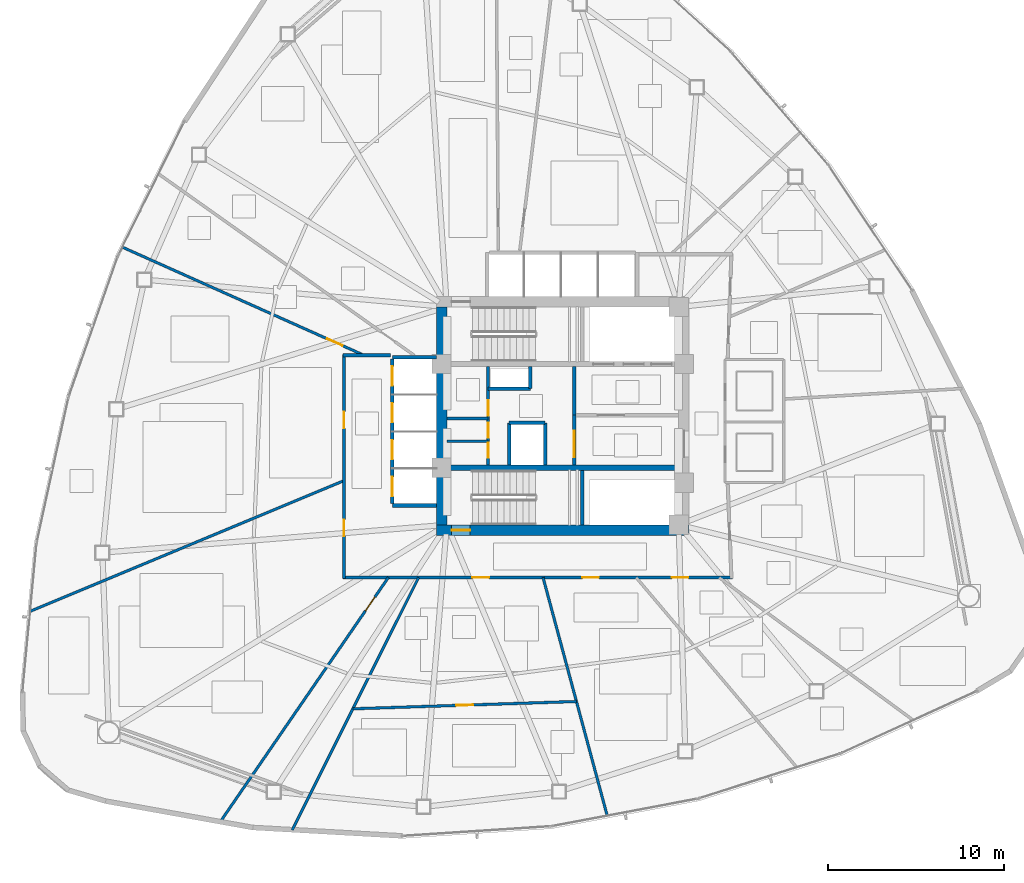
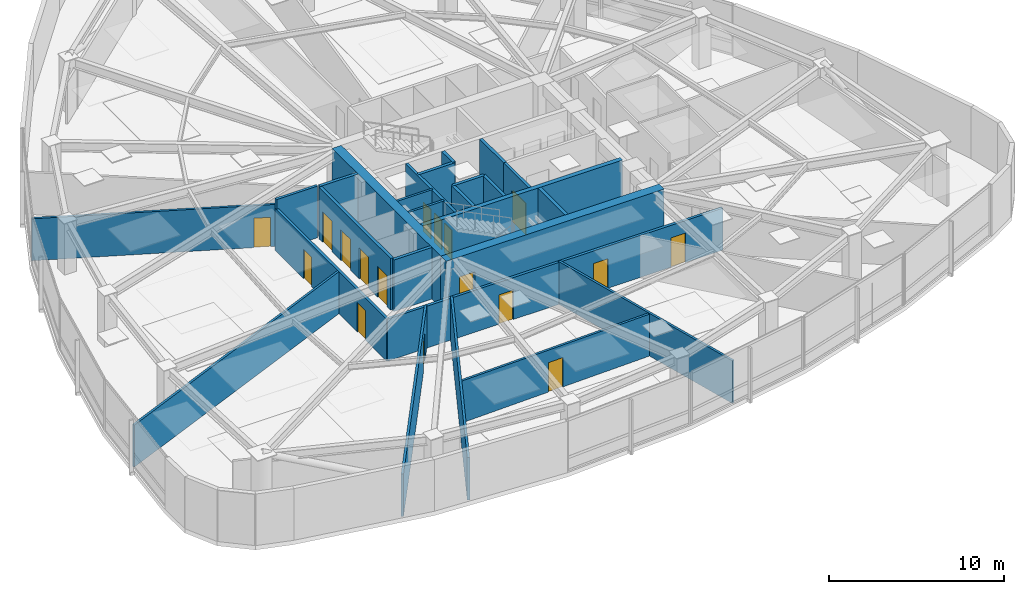
# One storey, part 12 of 18: 26 walls, 17 doors, 17 openings.
"""IFC4 building model written with IfcOpenShell, lengths in metres."""

from ifc_helpers import new_model, si_unit, direction, frame, frame_2d, origin, place, context, subcontext, project, spatial, rectangle, extrude, material, layer, layer_set, type_object, element, fill, save


model = new_model("IFC4")

# Units and contexts
model_context = context("Model", 3, precision=1e-05, world=origin(), true_north=direction((0.0, 1.0)))
body_context = subcontext(model_context, "Body", "Model", "MODEL_VIEW")
ifc_project = project(units=[si_unit("LENGTHUNIT", "METRE"), si_unit("AREAUNIT", "SQUARE_METRE"), si_unit("VOLUMEUNIT", "CUBIC_METRE"), si_unit("PLANEANGLEUNIT", "RADIAN"), si_unit("MASSUNIT", "GRAM", prefix="KILO")], contexts=[model_context])

# Site, building, storey
site_placement = place(None, origin())
site = spatial("IfcSite", under=ifc_project, at=site_placement, CompositionType="ELEMENT")
building_placement = place(site_placement, origin())
building = spatial("IfcBuilding", under=site, at=building_placement, Name="Tavelor Broadcast Tower", CompositionType="ELEMENT")
storey_placement = place(building_placement, frame((0.0, 0.0, 54.89990234375)))
storey = spatial("IfcBuildingStorey", under=building, at=storey_placement, Name="L12", CompositionType="ELEMENT", Elevation=54.89990234375)

# Wall, opening, door
ifc_material_1 = material(Name="Concrete C60/75", Category="concrete")
ifc_layer_1 = layer(ifc_material_1, 0.60009765625)
ifc_layer_set_1 = layer_set([ifc_layer_1], Name="Concrete C60/75")
wall_type_1 = type_object("IfcWallType", Name="Core Shear Wall 600 mm", PredefinedType="SHEAR", material=ifc_layer_set_1)
wall_1_placement = place(storey_placement, frame((42.800048828125, 38.5, 0.0), z_axis=(0.0, 0.0, 1.0), x_axis=(1.0, 0.0, 0.0)))
wall_1 = element("IfcWall", 1, at=wall_1_placement, inside=storey, type_object=wall_type_1, Name="L12 Central Core Shear Wall S", PredefinedType="SHEAR", context=body_context, shape_type="SweptSolid", body=[
    extrude(rectangle(XDim=14.39990234375, YDim=0.60009765625, at=frame_2d((7.199951171875, 0.0))), origin(), (0.0, 0.0, 1.0), 3.60009765625),
])
opening_1_placement = place(wall_1_placement, frame((0.8798828125, 0.0, 0.0)))
opening_1 = element("IfcOpeningElement", 2, at=opening_1_placement, cuts=wall_1, Name="Opening DR11", PredefinedType="OPENING", context=body_context, shape_type="SweptSolid", body=[
    extrude(rectangle(XDim=1.050048828125, YDim=2.199951171875, at=frame_2d((0.52490234375, 1.10009765625))), frame((0.0, 0.31005859375, 0.0), z_axis=(0.0, -1.0, 0.0), x_axis=(1.0, 0.0, 0.0)), (0.0, 0.0, 1.0), 0.6201171875),
])
ifc_material_2 = material(Name="Steel S355", Category="steel")
door_type_1 = type_object("IfcDoorType", Name="Stair Core Fire Escape Door 1050x2200", OperationType="NOTDEFINED", PredefinedType="DOOR", material=ifc_material_2)
door_1_placement = place(opening_1_placement, origin())
door_1 = element("IfcDoor", 3, at=door_1_placement, inside=storey, type_object=door_type_1, Name="L12 Stair ST2 Protected Exit Door", OperationType="SINGLE_SWING_RIGHT", OverallHeight=2.199951171875, OverallWidth=1.050048828125, PredefinedType="DOOR", context=body_context, shape_type="SweptSolid", body=[
    extrude(rectangle(XDim=1.050048828125, YDim=2.199951171875, at=frame_2d((0.52490234375, 1.10009765625))), frame((0.0, 0.02490234375, 0.0), z_axis=(0.0, -1.0, 0.0), x_axis=(1.0, 0.0, 0.0)), (0.0, 0.0, 1.0), 0.050048828125),
])
fill(opening_1, door_1)

# Walls
wall_2_placement = place(storey_placement, frame((43.10009765625, 38.800048828125, 0.0), z_axis=(0.0, 0.0, 1.0), x_axis=(0.0, 1.0, 0.0)))
element("IfcWall", 4, at=wall_2_placement, inside=storey, type_object=wall_type_1, Name="L12 Central Core Shear Wall W", PredefinedType="SHEAR", context=body_context, shape_type="SweptSolid", body=[
    extrude(rectangle(XDim=12.39990234375, YDim=0.60009765625, at=frame_2d((6.199951171875, 0.0))), origin(), (0.0, 0.0, 1.0), 3.60009765625),
])
ifc_layer_2 = layer(ifc_material_1, 0.300048828125)
ifc_layer_set_2 = layer_set([ifc_layer_2], Name="Concrete C60/75")
wall_type_2 = type_object("IfcWallType", Name="Core Spine Shear Wall 300 mm C60", PredefinedType="SHEAR", material=ifc_layer_set_2)
wall_3_placement = place(storey_placement, frame((43.39990234375, 42.050048828125, 0.0), z_axis=(0.0, 0.0, 1.0), x_axis=(1.0, 0.0, 0.0)))
element("IfcWall", 5, at=wall_3_placement, inside=storey, type_object=wall_type_2, Name="L12 Central Core Shear Wall SP2", PredefinedType="SHEAR", context=body_context, shape_type="SweptSolid", body=[
    extrude(rectangle(XDim=13.2001953125, YDim=0.300048828125, at=frame_2d((6.60009765625, 0.0))), origin(), (0.0, 0.0, 1.0), 3.60009765625),
])

# Wall, opening, door
ifc_material_3 = material(Name="Calcium Silicate Fire Board 180 mm", Category="gypsum")
ifc_layer_3 = layer(ifc_material_3, 0.179931640625)
ifc_layer_set_3 = layer_set([ifc_layer_3], Name="Calcium Silicate Fire Board 180 mm")
wall_type_3 = type_object("IfcWallType", Name="Fire-Rated Corridor Partition Wall 180 mm", PredefinedType="PARTITIONING", material=ifc_layer_set_3)
wall_4_placement = place(storey_placement, frame((50.64990234375, 42.199951171875, 0.0), z_axis=(0.0, 0.0, 1.0), x_axis=(0.0, 1.0, 0.0)))
wall_4 = element("IfcWall", 6, at=wall_4_placement, inside=storey, type_object=wall_type_3, Name="L12 Core Lobby Zoning Wall", PredefinedType="PARTITIONING", context=body_context, shape_type="SweptSolid", body=[
    extrude(rectangle(XDim=2.85009765625, YDim=0.179931640625, at=frame_2d((1.425048828125, 0.0))), origin(), (0.0, 0.0, 1.0), 3.60009765625),
])
opening_2_placement = place(wall_4_placement, frame((0.449951171875, 0.0, 0.0)))
opening_2 = element("IfcOpeningElement", 7, at=opening_2_placement, cuts=wall_4, Name="Opening DR14", PredefinedType="OPENING", context=body_context, shape_type="SweptSolid", body=[
    extrude(rectangle(XDim=1.5, YDim=2.199951171875, at=frame_2d((0.75, 1.10009765625))), frame((0.0, 0.10009765625, 0.0), z_axis=(0.0, -1.0, 0.0), x_axis=(1.0, 0.0, 0.0)), (0.0, 0.0, 1.0), 0.199951171875),
])
door_type_2 = type_object("IfcDoorType", Name="Firefighting Lobby Double Fire Door 1500x2200", OperationType="NOTDEFINED", PredefinedType="DOOR", material=ifc_material_2)
door_2_placement = place(opening_2_placement, origin())
door_2 = element("IfcDoor", 8, at=door_2_placement, inside=storey, type_object=door_type_2, Name="L12 Core West Lobby Double Fire Door", OperationType="SINGLE_SWING_RIGHT", OverallHeight=2.199951171875, OverallWidth=1.5, PredefinedType="DOOR", context=body_context, shape_type="SweptSolid", body=[
    extrude(rectangle(XDim=1.5, YDim=2.199951171875, at=frame_2d((0.75, 1.10009765625))), frame((0.0, 0.02490234375, 0.0), z_axis=(0.0, -1.0, 0.0), x_axis=(1.0, 0.0, 0.0)), (0.0, 0.0, 1.0), 0.050048828125),
])
fill(opening_2, door_2)

# Wall, openings, doors
wall_5_placement = place(storey_placement, frame((45.75, 42.199951171875, 0.0), z_axis=(0.0, 0.0, 1.0), x_axis=(0.0, 1.0, 0.0)))
wall_5 = element("IfcWall", 9, at=wall_5_placement, inside=storey, type_object=wall_type_3, Name="L12 Core West Service East Wall", PredefinedType="PARTITIONING", context=body_context, shape_type="SweptSolid", body=[
    extrude(rectangle(XDim=5.60009765625, YDim=0.179931640625, at=frame_2d((2.800048828125, 0.0))), origin(), (0.0, 0.0, 1.0), 3.60009765625),
])
opening_3_placement = place(wall_5_placement, frame((0.419921875, 0.0, 0.0)))
opening_3 = element("IfcOpeningElement", 10, at=opening_3_placement, cuts=wall_5, Name="Opening DR36", PredefinedType="OPENING", context=body_context, shape_type="SweptSolid", body=[
    extrude(rectangle(XDim=0.85009765625, YDim=2.050048828125, at=frame_2d((0.425048828125, 1.02490234375))), frame((0.0, 0.10009765625, 0.0), z_axis=(0.0, -1.0, 0.0), x_axis=(1.0, 0.0, 0.0)), (0.0, 0.0, 1.0), 0.199951171875),
])
opening_4_placement = place(wall_5_placement, frame((1.570068359375, 0.0, 0.0)))
opening_4 = element("IfcOpeningElement", 11, at=opening_4_placement, cuts=wall_5, Name="Opening DR36", PredefinedType="OPENING", context=body_context, shape_type="SweptSolid", body=[
    extrude(rectangle(XDim=0.85009765625, YDim=2.050048828125, at=frame_2d((0.425048828125, 1.02490234375))), frame((0.0, 0.10009765625, 0.0), z_axis=(0.0, -1.0, 0.0), x_axis=(1.0, 0.0, 0.0)), (0.0, 0.0, 1.0), 0.199951171875),
])
opening_5_placement = place(wall_5_placement, frame((2.800048828125, 0.0, 0.0)))
opening_5 = element("IfcOpeningElement", 12, at=opening_5_placement, cuts=wall_5, Name="Opening DR32", PredefinedType="OPENING", context=body_context, shape_type="SweptSolid", body=[
    extrude(rectangle(XDim=0.89990234375, YDim=2.050048828125, at=frame_2d((0.449951171875, 1.02490234375))), frame((0.0, 0.10009765625, 0.0), z_axis=(0.0, -1.0, 0.0), x_axis=(1.0, 0.0, 0.0)), (0.0, 0.0, 1.0), 0.199951171875),
])
ifc_material_4 = material(Name="Timber Solid Core Hardwood", Category="wood")
door_type_3 = type_object("IfcDoorType", Name="Accessible Washroom Door 900x2050", OperationType="NOTDEFINED", PredefinedType="DOOR", material=ifc_material_4)
door_3_placement = place(opening_5_placement, origin())
door_3 = element("IfcDoor", 13, at=door_3_placement, inside=storey, type_object=door_type_3, Name="L12 Core Accessible WC Door", OperationType="SINGLE_SWING_LEFT", OverallHeight=2.050048828125, OverallWidth=0.89990234375, PredefinedType="DOOR", context=body_context, shape_type="SweptSolid", body=[
    extrude(rectangle(XDim=0.89990234375, YDim=2.050048828125, at=frame_2d((0.449951171875, 1.02490234375))), frame((0.0, 0.02490234375, 0.0), z_axis=(0.0, -1.0, 0.0), x_axis=(1.0, 0.0, 0.0)), (0.0, 0.0, 1.0), 0.050048828125),
])
fill(opening_5, door_3)
door_type_4 = type_object("IfcDoorType", Name="Service Room Fire Door 850x2050", OperationType="NOTDEFINED", PredefinedType="DOOR", material=ifc_material_2)
door_4_placement = place(opening_3_placement, origin())
door_4 = element("IfcDoor", 14, at=door_4_placement, inside=storey, type_object=door_type_4, Name="L12 Core Medical Room Door", OperationType="SINGLE_SWING_LEFT", OverallHeight=2.050048828125, OverallWidth=0.85009765625, PredefinedType="DOOR", context=body_context, shape_type="SweptSolid", body=[
    extrude(rectangle(XDim=0.85009765625, YDim=2.050048828125, at=frame_2d((0.425048828125, 1.02490234375))), frame((0.0, 0.02490234375, 0.0), z_axis=(0.0, -1.0, 0.0), x_axis=(1.0, 0.0, 0.0)), (0.0, 0.0, 1.0), 0.050048828125),
])
fill(opening_3, door_4)
door_5_placement = place(opening_4_placement, origin())
door_5 = element("IfcDoor", 15, at=door_5_placement, inside=storey, type_object=door_type_4, Name="L12 Core Copy Room Door", OperationType="SINGLE_SWING_RIGHT", OverallHeight=2.050048828125, OverallWidth=0.85009765625, PredefinedType="DOOR", context=body_context, shape_type="SweptSolid", body=[
    extrude(rectangle(XDim=0.85009765625, YDim=2.050048828125, at=frame_2d((0.425048828125, 1.02490234375))), frame((0.0, 0.02490234375, 0.0), z_axis=(0.0, -1.0, 0.0), x_axis=(1.0, 0.0, 0.0)), (0.0, 0.0, 1.0), 0.050048828125),
])
fill(opening_4, door_5)

wall_6_placement = place(storey_placement, frame((59.64990234375, 35.800048828125, 0.0), z_axis=(0.0, 0.0, 1.0), x_axis=(-1.0, 0.0, 0.0)))
wall_6 = element("IfcWall", 16, at=wall_6_placement, inside=storey, type_object=wall_type_3, Name="L12 Corridor Compartment Wall 04", PredefinedType="PARTITIONING", context=body_context, shape_type="SweptSolid", body=[
    extrude(rectangle(XDim=22.14990234375, YDim=0.179931640625, at=frame_2d((11.074951171875, 0.0))), origin(), (0.0, 0.0, 1.0), 2.925048828125),
])
opening_6_placement = place(wall_6_placement, frame((2.49267578125, 0.0, 0.0)))
opening_6 = element("IfcOpeningElement", 17, at=opening_6_placement, cuts=wall_6, Name="Opening DR18", PredefinedType="OPENING", context=body_context, shape_type="SweptSolid", body=[
    extrude(rectangle(XDim=0.949951171875, YDim=2.050048828125, at=frame_2d((0.47509765625, 1.02490234375))), frame((0.0, 0.10009765625, 0.0), z_axis=(0.0, -1.0, 0.0), x_axis=(1.0, 0.0, 0.0)), (0.0, 0.0, 1.0), 0.199951171875),
])
opening_7_placement = place(wall_6_placement, frame((7.58837890625, 0.0, 0.0)))
opening_7 = element("IfcOpeningElement", 18, at=opening_7_placement, cuts=wall_6, Name="Opening DR18", PredefinedType="OPENING", context=body_context, shape_type="SweptSolid", body=[
    extrude(rectangle(XDim=0.949951171875, YDim=2.050048828125, at=frame_2d((0.47509765625, 1.02490234375))), frame((0.0, 0.10009765625, 0.0), z_axis=(0.0, -1.0, 0.0), x_axis=(1.0, 0.0, 0.0)), (0.0, 0.0, 1.0), 0.199951171875),
])
opening_8_placement = place(wall_6_placement, frame((13.847900390625, 0.0, 0.0)))
opening_8 = element("IfcOpeningElement", 19, at=opening_8_placement, cuts=wall_6, Name="Opening DR18", PredefinedType="OPENING", context=body_context, shape_type="SweptSolid", body=[
    extrude(rectangle(XDim=0.949951171875, YDim=2.050048828125, at=frame_2d((0.47509765625, 1.02490234375))), frame((0.0, 0.10009765625, 0.0), z_axis=(0.0, -1.0, 0.0), x_axis=(1.0, 0.0, 0.0)), (0.0, 0.0, 1.0), 0.199951171875),
])
door_type_5 = type_object("IfcDoorType", Name="Corridor Rated Compartment Door 950x2050", OperationType="NOTDEFINED", PredefinedType="DOOR", material=ifc_material_4)
door_6_placement = place(opening_6_placement, origin())
door_6 = element("IfcDoor", 20, at=door_6_placement, inside=storey, type_object=door_type_5, Name="L12 Broadcast Crew Room Door R11", OperationType="SINGLE_SWING_LEFT", OverallHeight=2.050048828125, OverallWidth=0.949951171875, PredefinedType="DOOR", context=body_context, shape_type="SweptSolid", body=[
    extrude(rectangle(XDim=0.949951171875, YDim=2.050048828125, at=frame_2d((0.47509765625, 1.02490234375))), frame((0.0, 0.02490234375, 0.0), z_axis=(0.0, -1.0, 0.0), x_axis=(1.0, 0.0, 0.0)), (0.0, 0.0, 1.0), 0.050048828125),
])
fill(opening_6, door_6)
door_7_placement = place(opening_7_placement, origin())
door_7 = element("IfcDoor", 21, at=door_7_placement, inside=storey, type_object=door_type_5, Name="L12 International Bureau Office Door R12", OperationType="SINGLE_SWING_RIGHT", OverallHeight=2.050048828125, OverallWidth=0.949951171875, PredefinedType="DOOR", context=body_context, shape_type="SweptSolid", body=[
    extrude(rectangle(XDim=0.949951171875, YDim=2.050048828125, at=frame_2d((0.47509765625, 1.02490234375))), frame((0.0, 0.02490234375, 0.0), z_axis=(0.0, -1.0, 0.0), x_axis=(1.0, 0.0, 0.0)), (0.0, 0.0, 1.0), 0.050048828125),
])
fill(opening_7, door_7)
door_8_placement = place(opening_8_placement, origin())
door_8 = element("IfcDoor", 22, at=door_8_placement, inside=storey, type_object=door_type_5, Name="L12 Wellness Quiet Room Door R13", OperationType="SINGLE_SWING_LEFT", OverallHeight=2.050048828125, OverallWidth=0.949951171875, PredefinedType="DOOR", context=body_context, shape_type="SweptSolid", body=[
    extrude(rectangle(XDim=0.949951171875, YDim=2.050048828125, at=frame_2d((0.47509765625, 1.02490234375))), frame((0.0, 0.02490234375, 0.0), z_axis=(0.0, -1.0, 0.0), x_axis=(1.0, 0.0, 0.0)), (0.0, 0.0, 1.0), 0.050048828125),
])
fill(opening_8, door_8)

wall_7_placement = place(storey_placement, frame((37.550048828125, 35.75, 0.0), z_axis=(0.0, 0.0, 1.0), x_axis=(0.0, 1.0, 0.0)))
wall_7 = element("IfcWall", 23, at=wall_7_placement, inside=storey, type_object=wall_type_3, Name="L12 Corridor Compartment Wall 05", PredefinedType="PARTITIONING", context=body_context, shape_type="SweptSolid", body=[
    extrude(rectangle(XDim=12.75, YDim=0.179931640625, at=frame_2d((6.375, 0.0))), origin(), (0.0, 0.0, 1.0), 2.925048828125),
])
opening_9_placement = place(wall_7_placement, frame((2.39990234375, 0.0, 0.0)))
opening_9 = element("IfcOpeningElement", 24, at=opening_9_placement, cuts=wall_7, Name="Opening DR18", PredefinedType="OPENING", context=body_context, shape_type="SweptSolid", body=[
    extrude(rectangle(XDim=0.949951171875, YDim=2.050048828125, at=frame_2d((0.47509765625, 1.02490234375))), frame((0.0, 0.10009765625, 0.0), z_axis=(0.0, -1.0, 0.0), x_axis=(1.0, 0.0, 0.0)), (0.0, 0.0, 1.0), 0.199951171875),
])
opening_10_placement = place(wall_7_placement, frame((8.546875, 0.0, 0.0)))
opening_10 = element("IfcOpeningElement", 25, at=opening_10_placement, cuts=wall_7, Name="Opening DR18", PredefinedType="OPENING", context=body_context, shape_type="SweptSolid", body=[
    extrude(rectangle(XDim=0.949951171875, YDim=2.050048828125, at=frame_2d((0.47509765625, 1.02490234375))), frame((0.0, 0.10009765625, 0.0), z_axis=(0.0, -1.0, 0.0), x_axis=(1.0, 0.0, 0.0)), (0.0, 0.0, 1.0), 0.199951171875),
])
door_9_placement = place(opening_9_placement, origin())
door_9 = element("IfcDoor", 26, at=door_9_placement, inside=storey, type_object=door_type_5, Name="L12 VFX Compositing Lab Door R2", OperationType="SINGLE_SWING_RIGHT", OverallHeight=2.050048828125, OverallWidth=0.949951171875, PredefinedType="DOOR", context=body_context, shape_type="SweptSolid", body=[
    extrude(rectangle(XDim=0.949951171875, YDim=2.050048828125, at=frame_2d((0.47509765625, 1.02490234375))), frame((0.0, 0.02490234375, 0.0), z_axis=(0.0, -1.0, 0.0), x_axis=(1.0, 0.0, 0.0)), (0.0, 0.0, 1.0), 0.050048828125),
])
fill(opening_9, door_9)
door_10_placement = place(opening_10_placement, origin())
door_10 = element("IfcDoor", 27, at=door_10_placement, inside=storey, type_object=door_type_5, Name="L12 Broadcast Production Studio Door R3", OperationType="SINGLE_SWING_LEFT", OverallHeight=2.050048828125, OverallWidth=0.949951171875, PredefinedType="DOOR", context=body_context, shape_type="SweptSolid", body=[
    extrude(rectangle(XDim=0.949951171875, YDim=2.050048828125, at=frame_2d((0.47509765625, 1.02490234375))), frame((0.0, 0.02490234375, 0.0), z_axis=(0.0, -1.0, 0.0), x_axis=(1.0, 0.0, 0.0)), (0.0, 0.0, 1.0), 0.050048828125),
])
fill(opening_10, door_10)

# Walls
wall_8_placement = place(storey_placement, frame((37.5, 48.449951171875, 0.0), z_axis=(0.0, 0.0, 1.0), x_axis=(1.0, 0.0, 0.0)))
element("IfcWall", 28, at=wall_8_placement, inside=storey, type_object=wall_type_3, Name="L12 Corridor Compartment Wall 06", PredefinedType="PARTITIONING", context=body_context, shape_type="SweptSolid", body=[
    extrude(rectangle(XDim=2.699951171875, YDim=0.179931640625, at=frame_2d((1.35009765625, 0.0))), origin(), (0.0, 0.0, 1.0), 3.60009765625),
])
ifc_material_5 = material(Name="Gypsum Acoustic Plasterboard 150 mm", Category="gypsum")
ifc_layer_4 = layer(ifc_material_5, 0.14990234375)
ifc_layer_set_4 = layer_set([ifc_layer_4], Name="Gypsum Acoustic Plasterboard 150 mm")
wall_type_4 = type_object("IfcWallType", Name="Interior Acoustic Partition Wall 150 mm", PredefinedType="PARTITIONING", material=ifc_layer_set_4)
for number, where, z_axis, x_axis, name in (
    (29, (43.39990234375, 43.550048828125, 0.0), (0.0, 0.0, 1.0), (1.0, 0.0, 0.0), "L12 Core Split Wall B1"),
    (30, (43.39990234375, 44.85009765625, 0.0), (0.0, 0.0, 1.0), (1.0, 0.0, 0.0), "L12 Core Split Wall B2"),
):
    element("IfcWall", number, at=place(storey_placement, frame(where, z_axis=z_axis, x_axis=x_axis)), inside=storey, type_object=wall_type_4, Name=name, PredefinedType="PARTITIONING", context=body_context, shape_type="SweptSolid", body=[
        extrude(rectangle(XDim=2.35009765625, YDim=0.14990234375, at=frame_2d((1.175048828125, 0.0))), origin(), (0.0, 0.0, 1.0), 3.60009765625),
    ])

# Wall, opening, door
wall_9_placement = place(storey_placement, frame((38.688232421875, 48.449951171875, 0.0), z_axis=(0.0, 0.0, 1.0), x_axis=(-0.912814282385, 0.408374932965, 0.0)))
wall_9 = element("IfcWall", 31, at=wall_9_placement, inside=storey, type_object=wall_type_4, Name="L12 Radial Compartment Wall 04", PredefinedType="PARTITIONING", context=body_context, shape_type="SweptSolid", body=[
    extrude(rectangle(XDim=15.083251953125, YDim=0.14990234375, at=frame_2d((7.54150390625, 0.0))), origin(), (0.0, 0.0, 1.0), 2.925048828125),
])
opening_11_placement = place(wall_9_placement, frame((1.35009765625, 0.0, 0.0)))
opening_11 = element("IfcOpeningElement", 32, at=opening_11_placement, cuts=wall_9, Name="Opening DR18", PredefinedType="OPENING", context=body_context, shape_type="SweptSolid", body=[
    extrude(rectangle(XDim=0.949951171875, YDim=2.050048828125, at=frame_2d((0.47509765625, 1.02490234375))), frame((0.0, 0.0849609375, 0.0), z_axis=(0.0, -1.0, 0.0), x_axis=(1.0, 0.0, 0.0)), (0.0, 0.0, 1.0), 0.169921875),
])
door_11_placement = place(opening_11_placement, origin())
door_11 = element("IfcDoor", 33, at=door_11_placement, inside=storey, type_object=door_type_5, Name="L12 Suite Connecting Door 4", OperationType="SINGLE_SWING_LEFT", OverallHeight=2.050048828125, OverallWidth=0.949951171875, PredefinedType="DOOR", context=body_context, shape_type="SweptSolid", body=[
    extrude(rectangle(XDim=0.949951171875, YDim=2.050048828125, at=frame_2d((0.47509765625, 1.02490234375))), frame((0.0, 0.02490234375, 0.0), z_axis=(0.0, -1.0, 0.0), x_axis=(1.0, 0.0, 0.0)), (0.0, 0.0, 1.0), 0.050048828125),
])
fill(opening_11, door_11)

# Wall
wall_10_placement = place(storey_placement, frame((37.550048828125, 41.315673828125, 0.0), z_axis=(0.0, 0.0, 1.0), x_axis=(-0.923192857612, -0.384337023528, 0.0)))
element("IfcWall", 34, at=wall_10_placement, inside=storey, type_object=wall_type_4, Name="L12 Radial Compartment Wall 05", PredefinedType="PARTITIONING", context=body_context, shape_type="SweptSolid", body=[
    extrude(rectangle(XDim=19.369384765625, YDim=0.14990234375, at=frame_2d((9.6845703125, 0.0))), origin(), (0.0, 0.0, 1.0), 2.925048828125),
])

# Wall, opening, door
wall_11_placement = place(storey_placement, frame((40.0703125, 35.800048828125, 0.0), z_axis=(0.0, 0.0, 1.0), x_axis=(-0.566803639282, -0.823852920427, 0.0)))
wall_11 = element("IfcWall", 35, at=wall_11_placement, inside=storey, type_object=wall_type_4, Name="L12 Radial Compartment Wall 06", PredefinedType="PARTITIONING", context=body_context, shape_type="SweptSolid", body=[
    extrude(rectangle(XDim=16.888916015625, YDim=0.14990234375, at=frame_2d((8.4443359375, 0.0))), origin(), (0.0, 0.0, 1.0), 2.97509765625),
])
opening_12_placement = place(wall_11_placement, frame((1.35009765625, 0.0, 0.0)))
opening_12 = element("IfcOpeningElement", 36, at=opening_12_placement, cuts=wall_11, Name="Opening DR18", PredefinedType="OPENING", context=body_context, shape_type="SweptSolid", body=[
    extrude(rectangle(XDim=0.949951171875, YDim=2.050048828125, at=frame_2d((0.47509765625, 1.02490234375))), frame((0.0, 0.0849609375, 0.0), z_axis=(0.0, -1.0, 0.0), x_axis=(1.0, 0.0, 0.0)), (0.0, 0.0, 1.0), 0.169921875),
])
door_12_placement = place(opening_12_placement, origin())
door_12 = element("IfcDoor", 37, at=door_12_placement, inside=storey, type_object=door_type_5, Name="L12 Suite Connecting Door 1", OperationType="SINGLE_SWING_RIGHT", OverallHeight=2.050048828125, OverallWidth=0.949951171875, PredefinedType="DOOR", context=body_context, shape_type="SweptSolid", body=[
    extrude(rectangle(XDim=0.949951171875, YDim=2.050048828125, at=frame_2d((0.47509765625, 1.02490234375))), frame((0.0, 0.02490234375, 0.0), z_axis=(0.0, -1.0, 0.0), x_axis=(1.0, 0.0, 0.0)), (0.0, 0.0, 1.0), 0.050048828125),
])
fill(opening_12, door_12)

# Walls
wall_12_placement = place(storey_placement, frame((41.794677734375, 35.800048828125, 0.0), z_axis=(0.0, 0.0, 1.0), x_axis=(-0.447638840574, -0.894214442072, 0.0)))
element("IfcWall", 38, at=wall_12_placement, inside=storey, type_object=wall_type_4, Name="L12 Radial Compartment Wall 07", PredefinedType="PARTITIONING", context=body_context, shape_type="SweptSolid", body=[
    extrude(rectangle(XDim=16.073486328125, YDim=0.14990234375, at=frame_2d((8.03662109375, 0.0))), origin(), (0.0, 0.0, 1.0), 2.97509765625),
])
wall_13_placement = place(storey_placement, frame((48.87841796875, 35.800048828125, 0.0), z_axis=(0.0, 0.0, 1.0), x_axis=(0.260097424476, -0.965582378558, 0.0)))
element("IfcWall", 39, at=wall_13_placement, inside=storey, type_object=wall_type_4, Name="L12 Radial Compartment Wall 08", PredefinedType="PARTITIONING", context=body_context, shape_type="SweptSolid", body=[
    extrude(rectangle(XDim=14.056396484375, YDim=0.14990234375, at=frame_2d((7.0283203125, 0.0))), origin(), (0.0, 0.0, 1.0), 2.97509765625),
])

# Wall, opening, door
wall_14_placement = place(storey_placement, frame((38.05322265625, 28.325927734375, 0.0), z_axis=(0.0, 0.0, 1.0), x_axis=(0.999465503327, 0.032691094503, 0.0)))
wall_14 = element("IfcWall", 40, at=wall_14_placement, inside=storey, type_object=wall_type_4, Name="L12 Suite Chord Partition Wall 01", PredefinedType="PARTITIONING", context=body_context, shape_type="SweptSolid", body=[
    extrude(rectangle(XDim=12.733154296875, YDim=0.14990234375, at=frame_2d((6.36669921875, 0.0))), origin(), (0.0, 0.0, 1.0), 2.925048828125),
])
opening_13_placement = place(wall_14_placement, frame((5.8916015625, 0.0, 0.0)))
opening_13 = element("IfcOpeningElement", 41, at=opening_13_placement, cuts=wall_14, Name="Opening DR23", PredefinedType="OPENING", context=body_context, shape_type="SweptSolid", body=[
    extrude(rectangle(XDim=0.949951171875, YDim=2.050048828125, at=frame_2d((0.47509765625, 1.02490234375))), frame((0.0, 0.0849609375, 0.0), z_axis=(0.0, -1.0, 0.0), x_axis=(1.0, 0.0, 0.0)), (0.0, 0.0, 1.0), 0.169921875),
])
door_type_6 = type_object("IfcDoorType", Name="Editorial Room Acoustic Door 950x2050", OperationType="NOTDEFINED", PredefinedType="DOOR", material=ifc_material_4)
door_13_placement = place(opening_13_placement, origin())
door_13 = element("IfcDoor", 42, at=door_13_placement, inside=storey, type_object=door_type_6, Name="L12 Outer Suite Partition Door 1", OperationType="SINGLE_SWING_LEFT", OverallHeight=2.050048828125, OverallWidth=0.949951171875, PredefinedType="DOOR", context=body_context, shape_type="SweptSolid", body=[
    extrude(rectangle(XDim=0.949951171875, YDim=2.050048828125, at=frame_2d((0.47509765625, 1.02490234375))), frame((0.0, 0.02490234375, 0.0), z_axis=(0.0, -1.0, 0.0), x_axis=(1.0, 0.0, 0.0)), (0.0, 0.0, 1.0), 0.050048828125),
])
fill(opening_13, door_13)

# Wall, openings, doors
ifc_material_6 = material(Name="Concrete Blockwork 200 mm", Category="masonry")
ifc_layer_5 = layer(ifc_material_6, 0.199951171875)
ifc_layer_set_5 = layer_set([ifc_layer_5], Name="Concrete Blockwork 200 mm")
wall_type_5 = type_object("IfcWallType", Name="Lift Hoistway Rated Front Wall 200 mm", PredefinedType="PARTITIONING", material=ifc_layer_set_5)
wall_15_placement = place(storey_placement, frame((40.300048828125, 40.02001953125, 0.0), z_axis=(0.0, 0.0, 1.0), x_axis=(0.0, 1.0, 0.0)))
wall_15 = element("IfcWall", 43, at=wall_15_placement, inside=storey, type_object=wall_type_5, Name="L12 Low-Rise Lift Hoistway Front Wall", PredefinedType="PARTITIONING", context=body_context, shape_type="SweptSolid", body=[
    extrude(rectangle(XDim=8.2099609375, YDim=0.199951171875, at=frame_2d((4.10498046875, 0.0))), origin(), (0.0, 0.0, 1.0), 3.60009765625),
])
opening_14_placement = place(wall_15_placement, frame((0.405029296875, 0.0, 0.0)))
opening_14 = element("IfcOpeningElement", 44, at=opening_14_placement, cuts=wall_15, Name="Opening LD01", PredefinedType="OPENING", context=body_context, shape_type="SweptSolid", body=[
    extrude(rectangle(XDim=1.10009765625, YDim=2.14990234375, at=frame_2d((0.550048828125, 1.074951171875))), frame((0.0, 0.10986328125, 0.0), z_axis=(0.0, -1.0, 0.0), x_axis=(1.0, 0.0, 0.0)), (0.0, 0.0, 1.0), 0.219970703125),
])
opening_15_placement = place(wall_15_placement, frame((2.5048828125, 0.0, 0.0)))
opening_15 = element("IfcOpeningElement", 45, at=opening_15_placement, cuts=wall_15, Name="Opening LD01", PredefinedType="OPENING", context=body_context, shape_type="SweptSolid", body=[
    extrude(rectangle(XDim=1.10009765625, YDim=2.14990234375, at=frame_2d((0.550048828125, 1.074951171875))), frame((0.0, 0.10986328125, 0.0), z_axis=(0.0, -1.0, 0.0), x_axis=(1.0, 0.0, 0.0)), (0.0, 0.0, 1.0), 0.219970703125),
])
opening_16_placement = place(wall_15_placement, frame((4.60498046875, 0.0, 0.0)))
opening_16 = element("IfcOpeningElement", 46, at=opening_16_placement, cuts=wall_15, Name="Opening LD01", PredefinedType="OPENING", context=body_context, shape_type="SweptSolid", body=[
    extrude(rectangle(XDim=1.10009765625, YDim=2.14990234375, at=frame_2d((0.550048828125, 1.074951171875))), frame((0.0, 0.10986328125, 0.0), z_axis=(0.0, -1.0, 0.0), x_axis=(1.0, 0.0, 0.0)), (0.0, 0.0, 1.0), 0.219970703125),
])
opening_17_placement = place(wall_15_placement, frame((6.705078125, 0.0, 0.0)))
opening_17 = element("IfcOpeningElement", 47, at=opening_17_placement, cuts=wall_15, Name="Opening LD01", PredefinedType="OPENING", context=body_context, shape_type="SweptSolid", body=[
    extrude(rectangle(XDim=1.10009765625, YDim=2.14990234375, at=frame_2d((0.550048828125, 1.074951171875))), frame((0.0, 0.10986328125, 0.0), z_axis=(0.0, -1.0, 0.0), x_axis=(1.0, 0.0, 0.0)), (0.0, 0.0, 1.0), 0.219970703125),
])
ifc_material_7 = material(Name="Brushed Stainless Steel", Category="steel")
door_type_7 = type_object("IfcDoorType", Name="Passenger Lift Sliding Landing Door 1100x2150", OperationType="NOTDEFINED", PredefinedType="DOOR", material=ifc_material_7)
door_14_placement = place(opening_14_placement, origin())
door_14 = element("IfcDoor", 48, at=door_14_placement, inside=storey, type_object=door_type_7, Name="L12 Lift PLL1 Sliding Landing Door", OperationType="SLIDING_TO_LEFT", OverallHeight=2.14990234375, OverallWidth=1.10009765625, PredefinedType="DOOR", context=body_context, shape_type="SweptSolid", body=[
    extrude(rectangle(XDim=1.10009765625, YDim=2.14990234375, at=frame_2d((0.550048828125, 1.074951171875))), frame((0.0, 0.02490234375, 0.0), z_axis=(0.0, -1.0, 0.0), x_axis=(1.0, 0.0, 0.0)), (0.0, 0.0, 1.0), 0.050048828125),
])
fill(opening_14, door_14)
door_15_placement = place(opening_15_placement, origin())
door_15 = element("IfcDoor", 49, at=door_15_placement, inside=storey, type_object=door_type_7, Name="L12 Lift PLL2 Sliding Landing Door", OperationType="SLIDING_TO_RIGHT", OverallHeight=2.14990234375, OverallWidth=1.10009765625, PredefinedType="DOOR", context=body_context, shape_type="SweptSolid", body=[
    extrude(rectangle(XDim=1.10009765625, YDim=2.14990234375, at=frame_2d((0.550048828125, 1.074951171875))), frame((0.0, 0.02490234375, 0.0), z_axis=(0.0, -1.0, 0.0), x_axis=(1.0, 0.0, 0.0)), (0.0, 0.0, 1.0), 0.050048828125),
])
fill(opening_15, door_15)
door_16_placement = place(opening_16_placement, origin())
door_16 = element("IfcDoor", 50, at=door_16_placement, inside=storey, type_object=door_type_7, Name="L12 Lift PLL3 Sliding Landing Door", OperationType="SLIDING_TO_LEFT", OverallHeight=2.14990234375, OverallWidth=1.10009765625, PredefinedType="DOOR", context=body_context, shape_type="SweptSolid", body=[
    extrude(rectangle(XDim=1.10009765625, YDim=2.14990234375, at=frame_2d((0.550048828125, 1.074951171875))), frame((0.0, 0.02490234375, 0.0), z_axis=(0.0, -1.0, 0.0), x_axis=(1.0, 0.0, 0.0)), (0.0, 0.0, 1.0), 0.050048828125),
])
fill(opening_16, door_16)
door_17_placement = place(opening_17_placement, origin())
door_17 = element("IfcDoor", 51, at=door_17_placement, inside=storey, type_object=door_type_7, Name="L12 Lift PLL4 Sliding Landing Door", OperationType="SLIDING_TO_RIGHT", OverallHeight=2.14990234375, OverallWidth=1.10009765625, PredefinedType="DOOR", context=body_context, shape_type="SweptSolid", body=[
    extrude(rectangle(XDim=1.10009765625, YDim=2.14990234375, at=frame_2d((0.550048828125, 1.074951171875))), frame((0.0, 0.02490234375, 0.0), z_axis=(0.0, -1.0, 0.0), x_axis=(1.0, 0.0, 0.0)), (0.0, 0.0, 1.0), 0.050048828125),
])
fill(opening_17, door_17)

# Walls
wall_16_placement = place(storey_placement, frame((49.0, 42.199951171875, 0.0), z_axis=(0.0, 0.0, 1.0), x_axis=(0.0, 1.0, 0.0)))
element("IfcWall", 52, at=wall_16_placement, inside=storey, type_object=wall_type_5, Name="L12 Mid-Rise Lift PLM4 Hoistway Front Wall", PredefinedType="PARTITIONING", context=body_context, shape_type="SweptSolid", body=[
    extrude(rectangle(XDim=2.400146484375, YDim=0.199951171875, at=frame_2d((1.2001953125, 0.0))), origin(), (0.0, 0.0, 1.0), 3.60009765625),
])
ifc_layer_6 = layer(ifc_material_6, 0.199951171875)
ifc_layer_set_6 = layer_set([ifc_layer_6], Name="Concrete Blockwork 200 mm")
wall_type_6 = type_object("IfcWallType", Name="Lift and Riser Shaft Enclosure Wall 200 mm", PredefinedType="PARTITIONING", material=ifc_layer_set_6)
for number, where, z_axis, x_axis, name in (
    (53, (40.300048828125, 39.89990234375, 0.0), (0.0, 0.0, 1.0), (1.0, 0.0, 0.0), "L12 Low-Rise Lift Shaft South Wall"),
    (54, (40.300048828125, 48.35009765625, 0.0), (0.0, 0.0, 1.0), (1.0, 0.0, 0.0), "L12 Low-Rise Lift Shaft North Wall"),
):
    element("IfcWall", number, at=place(storey_placement, frame(where, z_axis=z_axis, x_axis=x_axis)), inside=storey, type_object=wall_type_6, Name=name, PredefinedType="PARTITIONING", context=body_context, shape_type="SweptSolid", body=[
        extrude(rectangle(XDim=2.5, YDim=0.199951171875, at=frame_2d((1.25, 0.0))), origin(), (0.0, 0.0, 1.0), 3.60009765625),
    ])
wall_17_placement = place(storey_placement, frame((45.75, 46.550048828125, 0.0), z_axis=(0.0, 0.0, 1.0), x_axis=(1.0, 0.0, 0.0)))
element("IfcWall", 55, at=wall_17_placement, inside=storey, type_object=wall_type_6, Name="L12 Riser Shaft South Wall", PredefinedType="PARTITIONING", context=body_context, shape_type="SweptSolid", body=[
    extrude(rectangle(XDim=2.39990234375, YDim=0.199951171875, at=frame_2d((1.199951171875, 0.0))), origin(), (0.0, 0.0, 1.0), 3.60009765625),
])
wall_18_placement = place(storey_placement, frame((48.14990234375, 46.550048828125, 0.0), z_axis=(0.0, 0.0, 1.0), x_axis=(0.0, 1.0, 0.0)))
element("IfcWall", 56, at=wall_18_placement, inside=storey, type_object=wall_type_6, Name="L12 Riser Shaft East Wall", PredefinedType="PARTITIONING", context=body_context, shape_type="SweptSolid", body=[
    extrude(rectangle(XDim=1.25, YDim=0.199951171875, at=frame_2d((0.625, 0.0))), origin(), (0.0, 0.0, 1.0), 3.60009765625),
])
wall_19_placement = place(storey_placement, frame((46.949951171875, 42.199951171875, 0.0), z_axis=(0.0, 0.0, 1.0), x_axis=(0.0, 1.0, 0.0)))
element("IfcWall", 57, at=wall_19_placement, inside=storey, type_object=wall_type_6, Name="L12 Mid-Rise Lift PLM4 West Wall", PredefinedType="PARTITIONING", context=body_context, shape_type="SweptSolid", body=[
    extrude(rectangle(XDim=2.400146484375, YDim=0.199951171875, at=frame_2d((1.2001953125, 0.0))), origin(), (0.0, 0.0, 1.0), 3.60009765625),
])
wall_20_placement = place(storey_placement, frame((46.949951171875, 44.60009765625, 0.0), z_axis=(0.0, 0.0, 1.0), x_axis=(1.0, 0.0, 0.0)))
element("IfcWall", 58, at=wall_20_placement, inside=storey, type_object=wall_type_6, Name="L12 Mid-Rise Lift PLM4 North Wall", PredefinedType="PARTITIONING", context=body_context, shape_type="SweptSolid", body=[
    extrude(rectangle(XDim=2.050048828125, YDim=0.199951171875, at=frame_2d((1.02490234375, 0.0))), origin(), (0.0, 0.0, 1.0), 3.60009765625),
])
wall_21_placement = place(storey_placement, frame((50.64990234375, 45.050048828125, 0.0), z_axis=(0.0, 0.0, 1.0), x_axis=(0.0, 1.0, 0.0)))
element("IfcWall", 59, at=wall_21_placement, inside=storey, type_object=wall_type_6, Name="L12 Firefighting Lobby West Wall", PredefinedType="PARTITIONING", context=body_context, shape_type="SweptSolid", body=[
    extrude(rectangle(XDim=2.75, YDim=0.199951171875, at=frame_2d((1.375, 0.0))), origin(), (0.0, 0.0, 1.0), 3.60009765625),
])
ifc_material_8 = material(Name="Concrete C40/50", Category="concrete")
ifc_layer_7 = layer(ifc_material_8, 0.219970703125)
ifc_layer_set_7 = layer_set([ifc_layer_7], Name="Concrete C40/50")
wall_type_7 = type_object("IfcWallType", Name="Structural Stairwell Shear Wall 220 mm", PredefinedType="SHEAR", material=ifc_layer_set_7)
wall_22_placement = place(storey_placement, frame((51.110107421875, 38.800048828125, 0.0), z_axis=(0.0, 0.0, 1.0), x_axis=(0.0, 1.0, 0.0)))
element("IfcWall", 60, at=wall_22_placement, inside=storey, type_object=wall_type_7, Name="L12 Stair ST2 Structural Shaft Wall", PredefinedType="SHEAR", context=body_context, shape_type="SweptSolid", body=[
    extrude(rectangle(XDim=3.099853515625, YDim=0.219970703125, at=frame_2d((1.5498046875, 0.0))), origin(), (0.0, 0.0, 1.0), 3.60009765625),
])

save(model, "model.ifc")
